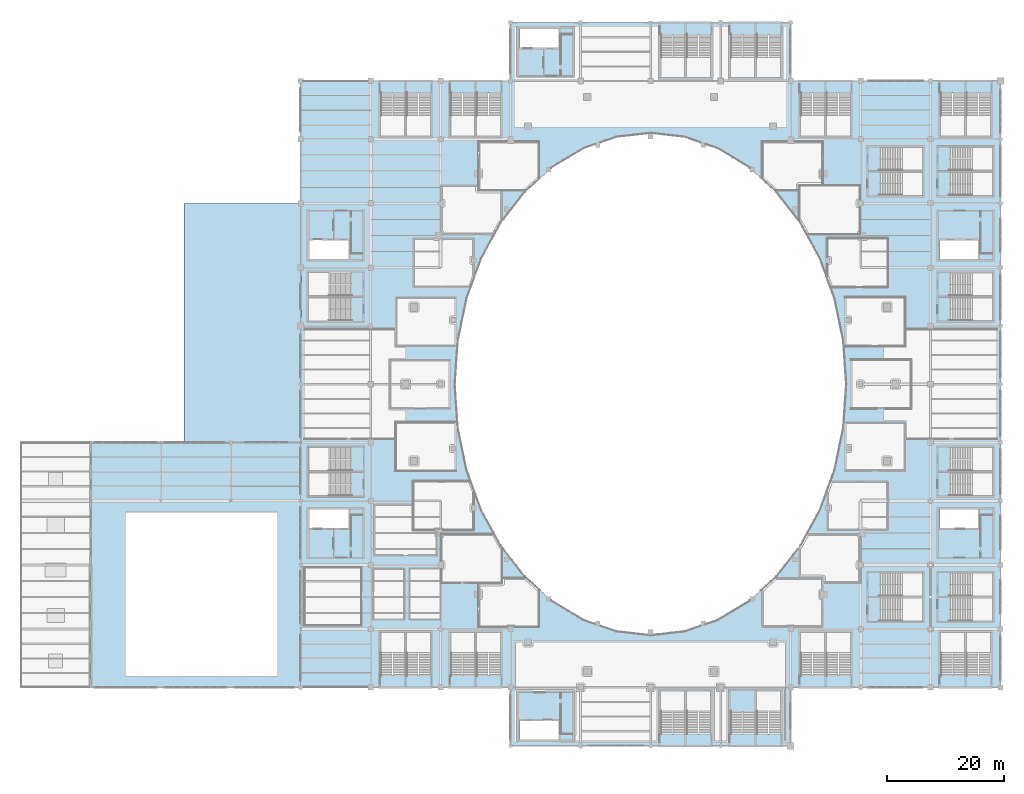
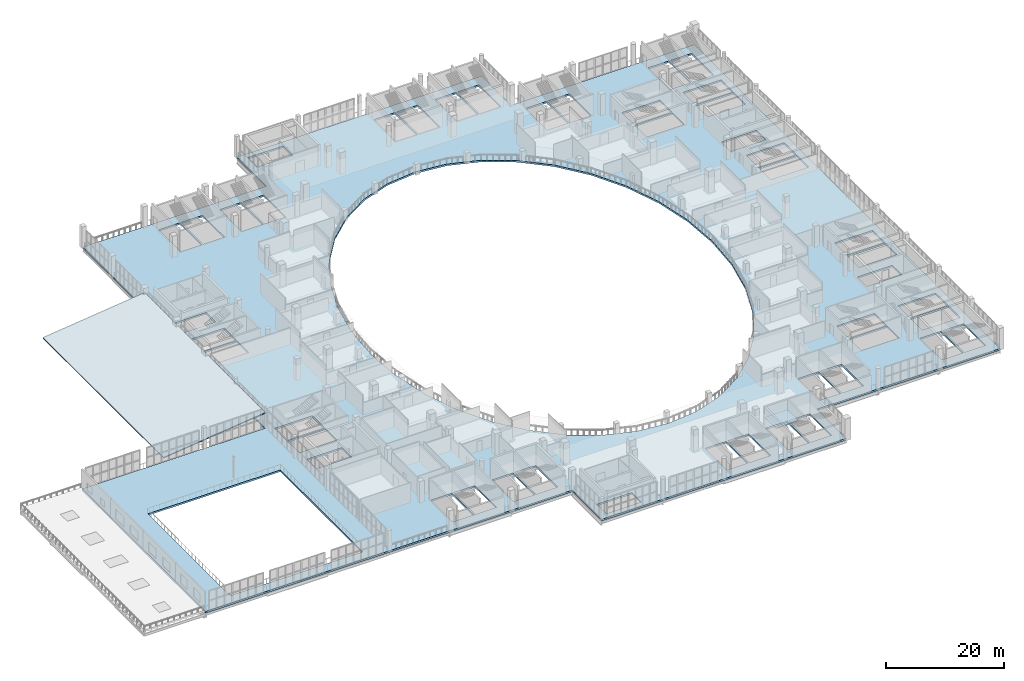
# One storey, part 53 of 90: 3 slabs, 1 element without a shape of its own.
"""IFC4 building model written with IfcOpenShell, lengths in metres."""

import ifcopenshell
import ifcopenshell.guid

model = None  # the IFC model being written
_history = None  # IfcOwnerHistory: only IFC2X3 demands one
_inside = {}  # id of a spatial element -> (the spatial element, [elements in it])
_under = {}  # id of a project, library or spatial element -> (it, [spatial elements below it])
_declared = {}  # id of a project -> (the project, [libraries it declares])
_typed = {}  # id of a type object -> (the type object, [elements of that type])
_made_of = {}  # id of a material, layer set ... -> (it, [elements and type objects made of it])


def new_model(schema):
    """Start an empty IFC model of exactly this schema.

    Asked for "IFC4X3", IfcOpenShell would pick the latest addendum, in which some entities
    have other attributes; the version numbers below select the first issue.
    IFC2X3 requires an IfcOwnerHistory on every rooted entity: one is made here for all.
    """
    global model, _history
    if schema == "IFC4X3":
        model = ifcopenshell.file(schema_version=(4, 3, 0, 0))
    else:
        model = ifcopenshell.file(schema=schema)
    _inside.clear()
    _under.clear()
    _declared.clear()
    _typed.clear()
    _made_of.clear()
    _history = None
    if model.schema == "IFC2X3":
        org = make("IfcOrganization", Name="unknown")
        user = make(
            "IfcPersonAndOrganization",
            ThePerson=make("IfcPerson", FamilyName="unknown"),
            TheOrganization=org,
        )
        app = make(
            "IfcApplication",
            ApplicationDeveloper=org,
            Version="unknown",
            ApplicationFullName="unknown",
            ApplicationIdentifier="unknown",
        )
        _history = make(
            "IfcOwnerHistory",
            OwningUser=user,
            OwningApplication=app,
            ChangeAction="ADDED",
            CreationDate=0,
        )
    return model


def make(cls, **values):
    """One entity of the class cls with the attributes given. An attribute that is None is left unset."""
    return model.create_entity(
        cls, **{name: value for name, value in values.items() if value is not None}
    )


def rooted(cls, **values):
    """An entity with a GlobalId (a new one), such as an element, a storey or a relation."""
    return make(cls, GlobalId=ifcopenshell.guid.new(), OwnerHistory=_history, **values)


def si_unit(unit_type, name, prefix=None):
    """IfcSIUnit, for example si_unit("LENGTHUNIT", "METRE", prefix="MILLI")."""
    return make("IfcSIUnit", UnitType=unit_type, Prefix=prefix, Name=name)


def assignment(units):
    """IfcUnitAssignment: the units of a project."""
    return None if units is None else make("IfcUnitAssignment", Units=units)


def point(xyz):
    """IfcCartesianPoint."""
    return None if xyz is None else make("IfcCartesianPoint", Coordinates=xyz)


def direction(xyz):
    """IfcDirection."""
    return None if xyz is None else make("IfcDirection", DirectionRatios=xyz)


def frame(location, z_axis=None, x_axis=None):
    """IfcAxis2Placement3D, a coordinate frame: its origin and axes. An axis left out is left unset."""
    return make(
        "IfcAxis2Placement3D",
        Location=point(location),
        Axis=direction(z_axis),
        RefDirection=direction(x_axis),
    )


def origin():
    """The frame at (0, 0, 0) with its axes left unset."""
    return frame((0.0, 0.0, 0.0))


def place(relative_to, where):
    """IfcLocalPlacement: puts the frame where relative to a parent placement (None: the world)."""
    return make(
        "IfcLocalPlacement", PlacementRelTo=relative_to, RelativePlacement=where
    )


def context(
    kind, dimensions, precision=None, world=None, true_north=None, identifier=None
):
    """IfcGeometricRepresentationContext, for example the 3D "Model" context."""
    return make(
        "IfcGeometricRepresentationContext",
        ContextIdentifier=identifier,
        ContextType=kind,
        CoordinateSpaceDimension=dimensions,
        Precision=precision,
        WorldCoordinateSystem=world,
        TrueNorth=true_north,
    )


def subcontext(parent, identifier, kind, view, scale=None):
    """IfcGeometricRepresentationSubContext, for example "Body" below "Model"."""
    return make(
        "IfcGeometricRepresentationSubContext",
        ContextIdentifier=identifier,
        ContextType=kind,
        ParentContext=parent,
        TargetScale=scale,
        TargetView=view,
    )


def project(units=None, contexts=None):
    """IfcProject with its units and contexts."""
    return rooted(
        "IfcProject",
        Name="project",
        RepresentationContexts=contexts,
        UnitsInContext=assignment(units),
    )


def spatial(cls, under=None, at=None, **own):
    """A site, building, storey or space (cls), placed at a placement, below another one or the project."""
    s = rooted(cls, ObjectPlacement=at, **own)
    if under is not None:
        _under.setdefault(under.id(), (under, []))[1].append(s)
    return s


def polyline(points):
    """IfcPolyline through the points."""
    return make("IfcPolyline", Points=[point(p) for p in points])


def outline(outer, holes=None, kind="AREA"):
    """IfcArbitraryClosedProfileDef: a profile drawn as a closed curve; with holes, ...WithVoids."""
    if holes is None:
        return make("IfcArbitraryClosedProfileDef", ProfileType=kind, OuterCurve=outer)
    return make(
        "IfcArbitraryProfileDefWithVoids",
        ProfileType=kind,
        OuterCurve=outer,
        InnerCurves=holes,
    )


def extrude(swept, where, along, depth):
    """IfcExtrudedAreaSolid: the profile swept, set in the frame where, extruded along a direction by depth."""
    return make(
        "IfcExtrudedAreaSolid",
        SweptArea=swept,
        Position=where,
        ExtrudedDirection=direction(along),
        Depth=depth,
    )


def shape(context_of_items, identifier, shape_type, items):
    """IfcShapeRepresentation: the items that make up one representation, for example the "Body"."""
    return make(
        "IfcShapeRepresentation",
        ContextOfItems=context_of_items,
        RepresentationIdentifier=identifier,
        RepresentationType=shape_type,
        Items=items,
    )


def material(Name=None, Category=None):
    """IfcMaterial."""
    return make("IfcMaterial", Name=Name, Category=Category)


def layer(
    of_material, thickness, ventilated=None, Name=None, Category=None, Priority=None
):
    """IfcMaterialLayer: one layer of a wall or slab, of a material (None: an air gap)."""
    return make(
        "IfcMaterialLayer",
        Material=of_material,
        LayerThickness=thickness,
        IsVentilated=ventilated,
        Name=Name,
        Category=Category,
        Priority=Priority,
    )


def layer_set(layers, Name=None):
    """IfcMaterialLayerSet."""
    return make("IfcMaterialLayerSet", MaterialLayers=layers, LayerSetName=Name)


def made_of(thing, what):
    """Note that an element or type object is made of a material, layer set ...; save() writes the relation."""
    if what is not None:
        _made_of.setdefault(what.id(), (what, []))[1].append(thing)
    return thing


def type_object(cls, material=None, **own):
    """A type object (cls), such as IfcWallType, which elements share."""
    return made_of(rooted(cls, **own), material)


def element(
    cls,
    number,
    at=None,
    inside=None,
    cuts=None,
    type_object=None,
    material=None,
    context=None,
    identifier="Body",
    shape_type=None,
    held_by="IfcProductDefinitionShape",
    body=None,
    shapes=None,
    **own,
):
    """One element of the class cls, such as IfcWall. Its Tag is "e" and its number.

    at: its placement. inside: the storey or other place that contains it. cuts: it is an
    opening in that element (IfcRelVoidsElement). A single representation is given by context,
    identifier, shape_type and body (its items); several are given by shapes. held_by: the class
    of the entity that holds the representations. save() writes the other relations.
    """
    e = rooted(cls, Tag="e%d" % number, ObjectPlacement=at, **own)
    if body is not None:
        shapes = [shape(context, identifier, shape_type, body)]
    if shapes is not None:
        e.Representation = make(held_by, Representations=shapes)
    if inside is not None:
        _inside.setdefault(inside.id(), (inside, []))[1].append(e)
    if cuts is not None:
        rooted(
            "IfcRelVoidsElement", RelatingBuildingElement=cuts, RelatedOpeningElement=e
        )
    if type_object is not None:
        _typed.setdefault(type_object.id(), (type_object, []))[1].append(e)
    return made_of(e, material)


def aggregate(whole, parts):
    """IfcRelAggregates: a whole, such as a stair, and the parts it consists of."""
    return rooted("IfcRelAggregates", RelatingObject=whole, RelatedObjects=parts)


def save(model, path):
    """Write the relations noted so far, then the file.

    IfcRelAggregates (storeys below a building ...), IfcRelContainedInSpatialStructure (elements
    in a storey), IfcRelDefinesByType, IfcRelAssociatesMaterial and IfcRelDeclares: one each for
    every whole, place, type object, material and project.
    """
    for whole, parts in _under.values():
        aggregate(whole, parts)
    for where, things in _inside.values():
        rooted(
            "IfcRelContainedInSpatialStructure",
            RelatedElements=things,
            RelatingStructure=where,
        )
    for kind, things in _typed.values():
        rooted("IfcRelDefinesByType", RelatedObjects=things, RelatingType=kind)
    for what, things in _made_of.values():
        rooted("IfcRelAssociatesMaterial", RelatedObjects=things, RelatingMaterial=what)
    for by, libraries in _declared.values():
        rooted("IfcRelDeclares", RelatingContext=by, RelatedDefinitions=libraries)
    model.write(path)


model = new_model("IFC4")

# Units and contexts
model_context = context("Model", 3, precision=1e-05, world=origin(), true_north=direction((0.0, 1.0)))
body_context = subcontext(model_context, "Body", "Model", "MODEL_VIEW")
ifc_project = project(units=[si_unit("LENGTHUNIT", "METRE"), si_unit("AREAUNIT", "SQUARE_METRE"), si_unit("VOLUMEUNIT", "CUBIC_METRE"), si_unit("PLANEANGLEUNIT", "RADIAN"), si_unit("MASSUNIT", "GRAM", prefix="KILO")], contexts=[model_context])

# Site, building, storey
site_placement = place(None, origin())
site = spatial("IfcSite", under=ifc_project, at=site_placement, CompositionType="ELEMENT")
building_placement = place(site_placement, origin())
building = spatial("IfcBuilding", under=site, at=building_placement, Name="Brinegate Civic Arena", CompositionType="ELEMENT")
storey_placement = place(building_placement, frame((0.0, 0.0, 14.699951171875)))
storey = spatial("IfcBuildingStorey", under=building, at=storey_placement, Name="L03", CompositionType="ELEMENT", Elevation=14.699951171875)

# Slab
ifc_material = material(Name="Concrete C40/50", Category="concrete")
ifc_layer_1 = layer(ifc_material, 0.35009765625, Name="Concrete C40/50")
ifc_layer_set_1 = layer_set([ifc_layer_1], Name="Concrete C40/50")
slab_type_1 = type_object("IfcSlabType", Name="SLAB-CONC-350", PredefinedType="FLOOR", material=ifc_layer_set_1)
slab_1_placement = place(storey_placement, frame((0.0, 0.0, -0.349853515625)))
element("IfcSlab", 1, at=slab_1_placement, inside=storey, type_object=slab_type_1, Name="Hospitality Suite and Banquet Floor Slab", PredefinedType="FLOOR", context=body_context, shape_type="SweptSolid", body=[
    extrude(outline(polyline([(12.0, 10.0), (12.0, 52.0), (48.0, 52.0), (48.0, 114.0), (84.0, 114.0), (84.0, 124.0), (132.0, 124.0), (132.0, 114.0), (168.0, 114.0), (168.0, 10.0), (132.0, 10.0), (132.0, 0.0), (84.0, 0.0), (84.0, 10.0), (60.0, 10.0), (48.0, 10.0), (12.0, 10.0)]), holes=[polyline([(85.5, 1.10009765625), (92.39990234375, 1.10009765625), (92.39990234375, 4.300048828125), (85.5, 4.300048828125), (85.5, 1.10009765625)]), polyline([(61.695068359375, 19.455078125), (61.695068359375, 12.050048828125), (65.85498046875, 12.050048828125), (65.85498046875, 19.455078125), (61.695068359375, 19.455078125)]), polyline([(66.14501953125, 19.455078125), (66.14501953125, 12.050048828125), (70.304931640625, 12.050048828125), (70.304931640625, 19.455078125), (66.14501953125, 19.455078125)]), polyline([(73.695068359375, 12.050048828125), (77.85498046875, 12.050048828125), (77.85498046875, 19.455078125), (73.695068359375, 19.455078125), (73.695068359375, 12.050048828125)]), polyline([(78.14501953125, 19.455078125), (78.14501953125, 12.050048828125), (82.304931640625, 12.050048828125), (82.304931640625, 19.455078125), (78.14501953125, 19.455078125)]), polyline([(18.0, 40.0), (18.0, 12.0), (44.0, 12.0), (44.0, 40.0), (18.0, 40.0)]), polyline([(49.5, 37.300048828125), (56.39990234375, 37.300048828125), (56.39990234375, 40.5), (49.5, 40.5), (49.5, 37.300048828125)]), polyline([(49.344970703125, 46.85498046875), (49.344970703125, 42.844970703125), (56.75, 42.844970703125), (56.75, 46.85498046875), (49.344970703125, 46.85498046875)]), polyline([(49.344970703125, 51.155029296875), (49.344970703125, 47.14501953125), (56.75, 47.14501953125), (56.75, 51.155029296875), (49.344970703125, 51.155029296875)]), polyline([(49.344970703125, 72.844970703125), (56.75, 72.844970703125), (56.75, 76.85498046875), (49.344970703125, 76.85498046875), (49.344970703125, 72.844970703125)]), polyline([(49.344970703125, 81.155029296875), (49.344970703125, 77.14501953125), (56.75, 77.14501953125), (56.75, 81.155029296875), (49.344970703125, 81.155029296875)]), polyline([(49.5, 86.699951171875), (49.5, 83.5), (56.39990234375, 83.5), (56.39990234375, 86.699951171875), (49.5, 86.699951171875)]), polyline([(61.695068359375, 104.544921875), (65.85498046875, 104.544921875), (65.85498046875, 111.949951171875), (61.695068359375, 111.949951171875), (61.695068359375, 104.544921875)]), polyline([(66.14501953125, 111.949951171875), (66.14501953125, 104.544921875), (70.304931640625, 104.544921875), (70.304931640625, 111.949951171875), (66.14501953125, 111.949951171875)]), polyline([(73.695068359375, 111.949951171875), (73.695068359375, 104.544921875), (77.85498046875, 104.544921875), (77.85498046875, 111.949951171875), (73.695068359375, 111.949951171875)]), polyline([(78.14501953125, 104.544921875), (82.304931640625, 104.544921875), (82.304931640625, 111.949951171875), (78.14501953125, 111.949951171875), (78.14501953125, 104.544921875)]), polyline([(109.695068359375, 9.455078125), (109.695068359375, 2.050048828125), (113.85498046875, 2.050048828125), (113.85498046875, 9.455078125), (109.695068359375, 9.455078125)]), polyline([(114.14501953125, 9.455078125), (114.14501953125, 2.050048828125), (118.304931640625, 2.050048828125), (118.304931640625, 9.455078125), (114.14501953125, 9.455078125)]), polyline([(121.695068359375, 2.050048828125), (125.85498046875, 2.050048828125), (125.85498046875, 9.455078125), (121.695068359375, 9.455078125), (121.695068359375, 2.050048828125)]), polyline([(126.14501953125, 9.455078125), (126.14501953125, 2.050048828125), (130.304931640625, 2.050048828125), (130.304931640625, 9.455078125), (126.14501953125, 9.455078125)]), polyline([(133.695068359375, 19.455078125), (133.695068359375, 12.050048828125), (137.85498046875, 12.050048828125), (137.85498046875, 19.455078125), (133.695068359375, 19.455078125)]), polyline([(138.14501953125, 12.050048828125), (142.304931640625, 12.050048828125), (142.304931640625, 19.455078125), (138.14501953125, 19.455078125), (138.14501953125, 12.050048828125)]), polyline([(147.25, 25.35498046875), (147.25, 21.344970703125), (154.655029296875, 21.344970703125), (154.655029296875, 25.35498046875), (147.25, 25.35498046875)]), polyline([(147.25, 29.655029296875), (147.25, 25.64501953125), (154.655029296875, 25.64501953125), (154.655029296875, 29.655029296875), (147.25, 29.655029296875)]), polyline([(133.662109375, 34.360107421875), (137.011962890625, 40.5), (139.47998046875, 47.29296875), (140.990966796875, 54.532958984375), (141.5, 62.0), (140.990966796875, 69.467041015625), (139.47998046875, 76.70703125), (137.011962890625, 83.5), (133.662109375, 89.639892578125), (129.532958984375, 94.93994140625), (124.75, 99.239013671875), (119.4580078125, 102.406982421875), (113.81689453125, 104.346923828125), (108.0, 105.0), (102.18310546875, 104.346923828125), (96.5419921875, 102.406982421875), (91.25, 99.239013671875), (86.467041015625, 94.93994140625), (82.337890625, 89.639892578125), (78.988037109375, 83.5), (76.52001953125, 76.70703125), (75.009033203125, 69.467041015625), (74.5, 62.0), (75.009033203125, 54.532958984375), (76.52001953125, 47.29296875), (78.988037109375, 40.5), (82.337890625, 34.360107421875), (86.467041015625, 29.06005859375), (91.25, 24.760986328125), (96.5419921875, 21.593017578125), (102.18310546875, 19.653076171875), (108.0, 19.0), (113.81689453125, 19.653076171875), (119.4580078125, 21.593017578125), (124.75, 24.760986328125), (129.532958984375, 29.06005859375), (133.662109375, 34.360107421875)]), polyline([(133.695068359375, 111.949951171875), (133.695068359375, 104.544921875), (137.85498046875, 104.544921875), (137.85498046875, 111.949951171875), (133.695068359375, 111.949951171875)]), polyline([(138.14501953125, 111.949951171875), (138.14501953125, 104.544921875), (142.304931640625, 104.544921875), (142.304931640625, 111.949951171875), (138.14501953125, 111.949951171875)]), polyline([(109.695068359375, 114.544921875), (113.85498046875, 114.544921875), (113.85498046875, 121.949951171875), (109.695068359375, 121.949951171875), (109.695068359375, 114.544921875)]), polyline([(114.14501953125, 121.949951171875), (114.14501953125, 114.544921875), (118.304931640625, 114.544921875), (118.304931640625, 121.949951171875), (114.14501953125, 121.949951171875)]), polyline([(121.695068359375, 121.949951171875), (121.695068359375, 114.544921875), (125.85498046875, 114.544921875), (125.85498046875, 121.949951171875), (121.695068359375, 121.949951171875)]), polyline([(126.14501953125, 114.544921875), (130.304931640625, 114.544921875), (130.304931640625, 121.949951171875), (126.14501953125, 121.949951171875), (126.14501953125, 114.544921875)]), polyline([(85.5, 122.89990234375), (85.5, 119.699951171875), (92.39990234375, 119.699951171875), (92.39990234375, 122.89990234375), (85.5, 122.89990234375)]), polyline([(157.695068359375, 19.455078125), (157.695068359375, 12.050048828125), (161.85498046875, 12.050048828125), (161.85498046875, 19.455078125), (157.695068359375, 19.455078125)]), polyline([(162.14501953125, 12.050048828125), (166.304931640625, 12.050048828125), (166.304931640625, 19.455078125), (162.14501953125, 19.455078125), (162.14501953125, 12.050048828125)]), polyline([(159.25, 25.35498046875), (159.25, 21.344970703125), (166.655029296875, 21.344970703125), (166.655029296875, 25.35498046875), (159.25, 25.35498046875)]), polyline([(159.25, 29.655029296875), (159.25, 25.64501953125), (166.655029296875, 25.64501953125), (166.655029296875, 29.655029296875), (159.25, 29.655029296875)]), polyline([(157.5, 37.300048828125), (164.39990234375, 37.300048828125), (164.39990234375, 40.5), (157.5, 40.5), (157.5, 37.300048828125)]), polyline([(159.25, 46.85498046875), (159.25, 42.844970703125), (166.655029296875, 42.844970703125), (166.655029296875, 46.85498046875), (159.25, 46.85498046875)]), polyline([(159.25, 51.155029296875), (159.25, 47.14501953125), (166.655029296875, 47.14501953125), (166.655029296875, 51.155029296875), (159.25, 51.155029296875)]), polyline([(159.25, 72.844970703125), (166.655029296875, 72.844970703125), (166.655029296875, 76.85498046875), (159.25, 76.85498046875), (159.25, 72.844970703125)]), polyline([(159.25, 81.155029296875), (159.25, 77.14501953125), (166.655029296875, 77.14501953125), (166.655029296875, 81.155029296875), (159.25, 81.155029296875)]), polyline([(157.5, 86.699951171875), (157.5, 83.5), (164.39990234375, 83.5), (164.39990234375, 86.699951171875), (157.5, 86.699951171875)]), polyline([(147.25, 94.344970703125), (154.655029296875, 94.344970703125), (154.655029296875, 98.35498046875), (147.25, 98.35498046875), (147.25, 94.344970703125)]), polyline([(159.25, 98.35498046875), (159.25, 94.344970703125), (166.655029296875, 94.344970703125), (166.655029296875, 98.35498046875), (159.25, 98.35498046875)]), polyline([(147.25, 102.655029296875), (147.25, 98.64501953125), (154.655029296875, 98.64501953125), (154.655029296875, 102.655029296875), (147.25, 102.655029296875)]), polyline([(159.25, 98.64501953125), (166.655029296875, 98.64501953125), (166.655029296875, 102.655029296875), (159.25, 102.655029296875), (159.25, 98.64501953125)]), polyline([(157.695068359375, 111.949951171875), (157.695068359375, 104.544921875), (161.85498046875, 104.544921875), (161.85498046875, 111.949951171875), (157.695068359375, 111.949951171875)]), polyline([(162.14501953125, 111.949951171875), (162.14501953125, 104.544921875), (166.304931640625, 104.544921875), (166.304931640625, 111.949951171875), (162.14501953125, 111.949951171875)])]), origin(), (0.0, 0.0, 1.0), 0.349853515625),
])

# Stair, slab
stair_type = type_object("IfcStairType", Name="STAIR-EXIT-3850", PredefinedType="HALF_TURN_STAIR", material=ifc_material)
stair_placement = place(storey_placement, origin())
stair = element("IfcStair", 2, at=stair_placement, inside=storey, type_object=stair_type, Name="Protected Exit Stair ST-04A (L03)", PredefinedType="HALF_TURN_STAIR")
ifc_layer_2 = layer(ifc_material, 0.199951171875, Name="Concrete C40/50")
ifc_layer_set_2 = layer_set([ifc_layer_2], Name="Concrete C40/50")
slab_type_2 = type_object("IfcSlabType", Name="SLAB-LANDING-200", PredefinedType="LANDING", material=ifc_layer_set_2)
slab_2_placement = place(storey_placement, frame((0.0, 0.0, 2.050048828125)))
slab_2 = element("IfcSlab", 3, at=slab_2_placement, type_object=slab_type_2, Name="ST-04A landing 1", PredefinedType="LANDING", context=body_context, shape_type="SweptSolid", body=[
    extrude(outline(polyline([(121.574951171875, 5.8798828125), (126.0048828125, 5.8798828125), (126.0048828125, 9.60009765625), (121.574951171875, 9.60009765625), (121.574951171875, 5.8798828125)])), origin(), (0.0, 0.0, 1.0), 0.199951171875),
])
aggregate(stair, [slab_2])

# Slab
ifc_layer_3 = layer(ifc_material, 0.199951171875, Name="Concrete C40/50")
ifc_layer_set_3 = layer_set([ifc_layer_3], Name="Concrete C40/50")
slab_type_3 = type_object("IfcSlabType", Name="SLAB-ROOF-WING-200", PredefinedType="ROOF", material=ifc_layer_set_3)
slab_3_placement = place(storey_placement, frame((28.0, 52.0, 0.900146484375), z_axis=(-0.116690011076, 0.0, 0.993168385177), x_axis=(0.993168385177, 0.0, 0.116690011076)))
element("IfcSlab", 4, at=slab_3_placement, inside=storey, type_object=slab_type_3, Name="Sloped Roof Slab SLAB-ROOF-FOYER", PredefinedType="ROOF", context=body_context, shape_type="SweptSolid", body=[
    extrude(outline(polyline([(0.0, 0.0), (20.13757213630519, 0.0), (20.13757213630519, 41.0), (0.0, 41.0), (0.0, 0.0)])), origin(), (0.0, 0.0, -1.0), 0.199951171875),
])

save(model, "model.ifc")
